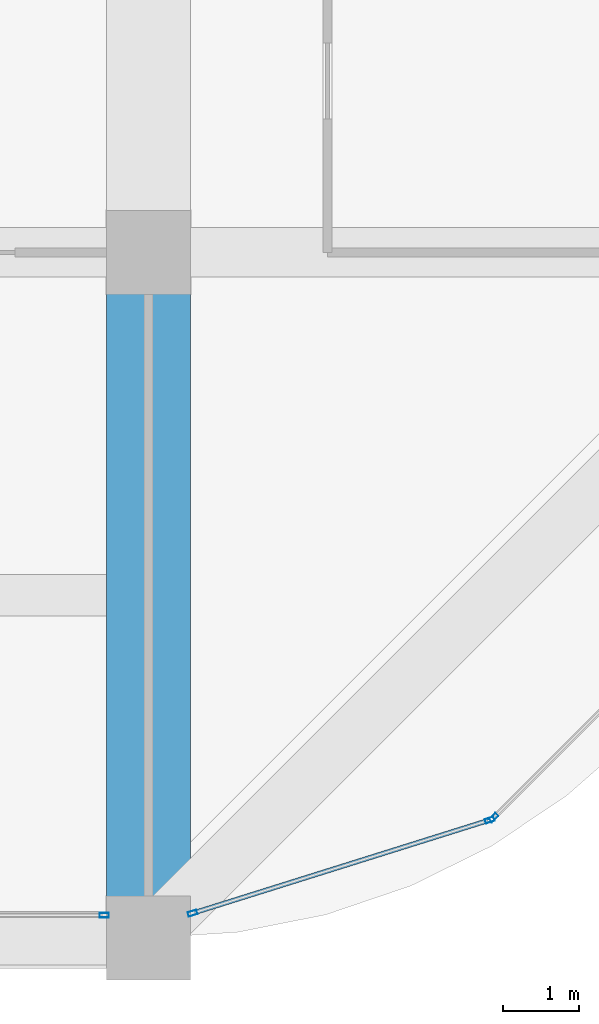
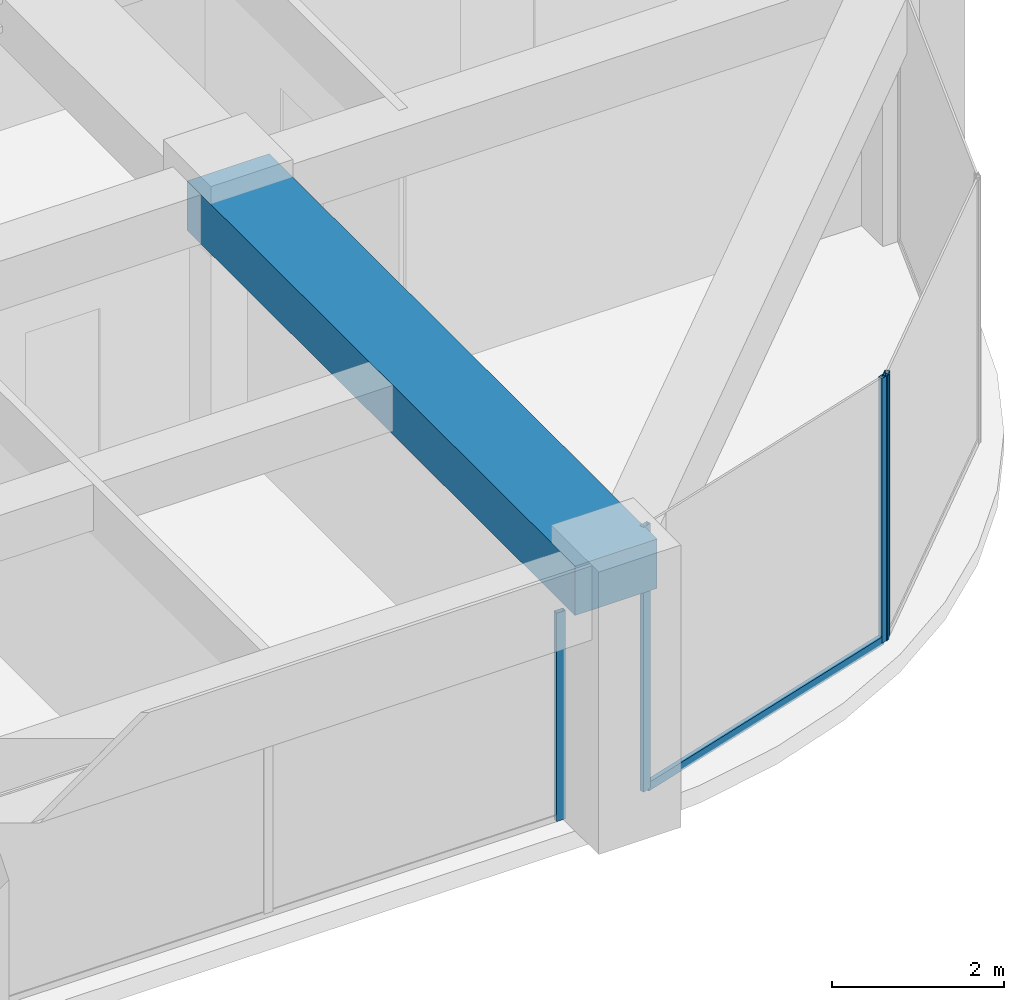
# One storey, part 18 of 45: 5 members, 1 beam, 3 elements without a shape of their own.
"""IFC4 building model written with IfcOpenShell, lengths in metres."""

import ifcopenshell
import ifcopenshell.guid

model = None  # the IFC model being written
_history = None  # IfcOwnerHistory: only IFC2X3 demands one
_inside = {}  # id of a spatial element -> (the spatial element, [elements in it])
_under = {}  # id of a project, library or spatial element -> (it, [spatial elements below it])
_declared = {}  # id of a project -> (the project, [libraries it declares])
_typed = {}  # id of a type object -> (the type object, [elements of that type])
_made_of = {}  # id of a material, layer set ... -> (it, [elements and type objects made of it])


def new_model(schema):
    """Start an empty IFC model of exactly this schema.

    Asked for "IFC4X3", IfcOpenShell would pick the latest addendum, in which some entities
    have other attributes; the version numbers below select the first issue.
    IFC2X3 requires an IfcOwnerHistory on every rooted entity: one is made here for all.
    """
    global model, _history
    if schema == "IFC4X3":
        model = ifcopenshell.file(schema_version=(4, 3, 0, 0))
    else:
        model = ifcopenshell.file(schema=schema)
    _inside.clear()
    _under.clear()
    _declared.clear()
    _typed.clear()
    _made_of.clear()
    _history = None
    if model.schema == "IFC2X3":
        org = make("IfcOrganization", Name="unknown")
        user = make(
            "IfcPersonAndOrganization",
            ThePerson=make("IfcPerson", FamilyName="unknown"),
            TheOrganization=org,
        )
        app = make(
            "IfcApplication",
            ApplicationDeveloper=org,
            Version="unknown",
            ApplicationFullName="unknown",
            ApplicationIdentifier="unknown",
        )
        _history = make(
            "IfcOwnerHistory",
            OwningUser=user,
            OwningApplication=app,
            ChangeAction="ADDED",
            CreationDate=0,
        )
    return model


def make(cls, **values):
    """One entity of the class cls with the attributes given. An attribute that is None is left unset."""
    return model.create_entity(
        cls, **{name: value for name, value in values.items() if value is not None}
    )


def rooted(cls, **values):
    """An entity with a GlobalId (a new one), such as an element, a storey or a relation."""
    return make(cls, GlobalId=ifcopenshell.guid.new(), OwnerHistory=_history, **values)


def si_unit(unit_type, name, prefix=None):
    """IfcSIUnit, for example si_unit("LENGTHUNIT", "METRE", prefix="MILLI")."""
    return make("IfcSIUnit", UnitType=unit_type, Prefix=prefix, Name=name)


def assignment(units):
    """IfcUnitAssignment: the units of a project."""
    return None if units is None else make("IfcUnitAssignment", Units=units)


def point(xyz):
    """IfcCartesianPoint."""
    return None if xyz is None else make("IfcCartesianPoint", Coordinates=xyz)


def direction(xyz):
    """IfcDirection."""
    return None if xyz is None else make("IfcDirection", DirectionRatios=xyz)


def frame(location, z_axis=None, x_axis=None):
    """IfcAxis2Placement3D, a coordinate frame: its origin and axes. An axis left out is left unset."""
    return make(
        "IfcAxis2Placement3D",
        Location=point(location),
        Axis=direction(z_axis),
        RefDirection=direction(x_axis),
    )


def frame_2d(location, x_axis=None):
    """IfcAxis2Placement2D, a coordinate frame in the plane: its origin and x axis."""
    return make(
        "IfcAxis2Placement2D", Location=point(location), RefDirection=direction(x_axis)
    )


def origin():
    """The frame at (0, 0, 0) with its axes left unset."""
    return frame((0.0, 0.0, 0.0))


def origin_2d():
    """The frame at (0, 0) in the plane with its x axis left unset."""
    return frame_2d((0.0, 0.0))


def place(relative_to, where):
    """IfcLocalPlacement: puts the frame where relative to a parent placement (None: the world)."""
    return make(
        "IfcLocalPlacement", PlacementRelTo=relative_to, RelativePlacement=where
    )


def context(
    kind, dimensions, precision=None, world=None, true_north=None, identifier=None
):
    """IfcGeometricRepresentationContext, for example the 3D "Model" context."""
    return make(
        "IfcGeometricRepresentationContext",
        ContextIdentifier=identifier,
        ContextType=kind,
        CoordinateSpaceDimension=dimensions,
        Precision=precision,
        WorldCoordinateSystem=world,
        TrueNorth=true_north,
    )


def subcontext(parent, identifier, kind, view, scale=None):
    """IfcGeometricRepresentationSubContext, for example "Body" below "Model"."""
    return make(
        "IfcGeometricRepresentationSubContext",
        ContextIdentifier=identifier,
        ContextType=kind,
        ParentContext=parent,
        TargetScale=scale,
        TargetView=view,
    )


def project(units=None, contexts=None):
    """IfcProject with its units and contexts."""
    return rooted(
        "IfcProject",
        Name="project",
        RepresentationContexts=contexts,
        UnitsInContext=assignment(units),
    )


def spatial(cls, under=None, at=None, **own):
    """A site, building, storey or space (cls), placed at a placement, below another one or the project."""
    s = rooted(cls, ObjectPlacement=at, **own)
    if under is not None:
        _under.setdefault(under.id(), (under, []))[1].append(s)
    return s


def profile(cls, at=None, kind="AREA", **sizes):
    """A parametric profile (cls). Its sizes go by their IFC names, for example OverallWidth=200.0."""
    return make(cls, ProfileType=kind, Position=at, **sizes)


def rectangle(**sizes):
    """IfcRectangleProfileDef."""
    return profile("IfcRectangleProfileDef", **sizes)


def hollow_rectangle(**sizes):
    """IfcRectangleHollowProfileDef."""
    return profile("IfcRectangleHollowProfileDef", **sizes)


def extrude(swept, where, along, depth):
    """IfcExtrudedAreaSolid: the profile swept, set in the frame where, extruded along a direction by depth."""
    return make(
        "IfcExtrudedAreaSolid",
        SweptArea=swept,
        Position=where,
        ExtrudedDirection=direction(along),
        Depth=depth,
    )


def shape(context_of_items, identifier, shape_type, items):
    """IfcShapeRepresentation: the items that make up one representation, for example the "Body"."""
    return make(
        "IfcShapeRepresentation",
        ContextOfItems=context_of_items,
        RepresentationIdentifier=identifier,
        RepresentationType=shape_type,
        Items=items,
    )


def material(Name=None, Category=None):
    """IfcMaterial."""
    return make("IfcMaterial", Name=Name, Category=Category)


def material_profile(
    of_material, cross_section, Name=None, Category=None, Priority=None
):
    """IfcMaterialProfile: a cross section and its material."""
    return make(
        "IfcMaterialProfile",
        Name=Name,
        Material=of_material,
        Profile=cross_section,
        Priority=Priority,
        Category=Category,
    )


def profile_set(profiles, Name=None, composite=None):
    """IfcMaterialProfileSet."""
    return make(
        "IfcMaterialProfileSet",
        Name=Name,
        MaterialProfiles=profiles,
        CompositeProfile=composite,
    )


def made_of(thing, what):
    """Note that an element or type object is made of a material, layer set ...; save() writes the relation."""
    if what is not None:
        _made_of.setdefault(what.id(), (what, []))[1].append(thing)
    return thing


def type_object(cls, material=None, **own):
    """A type object (cls), such as IfcWallType, which elements share."""
    return made_of(rooted(cls, **own), material)


def element(
    cls,
    number,
    at=None,
    inside=None,
    cuts=None,
    type_object=None,
    material=None,
    context=None,
    identifier="Body",
    shape_type=None,
    held_by="IfcProductDefinitionShape",
    body=None,
    shapes=None,
    **own,
):
    """One element of the class cls, such as IfcWall. Its Tag is "e" and its number.

    at: its placement. inside: the storey or other place that contains it. cuts: it is an
    opening in that element (IfcRelVoidsElement). A single representation is given by context,
    identifier, shape_type and body (its items); several are given by shapes. held_by: the class
    of the entity that holds the representations. save() writes the other relations.
    """
    e = rooted(cls, Tag="e%d" % number, ObjectPlacement=at, **own)
    if body is not None:
        shapes = [shape(context, identifier, shape_type, body)]
    if shapes is not None:
        e.Representation = make(held_by, Representations=shapes)
    if inside is not None:
        _inside.setdefault(inside.id(), (inside, []))[1].append(e)
    if cuts is not None:
        rooted(
            "IfcRelVoidsElement", RelatingBuildingElement=cuts, RelatedOpeningElement=e
        )
    if type_object is not None:
        _typed.setdefault(type_object.id(), (type_object, []))[1].append(e)
    return made_of(e, material)


def aggregate(whole, parts):
    """IfcRelAggregates: a whole, such as a stair, and the parts it consists of."""
    return rooted("IfcRelAggregates", RelatingObject=whole, RelatedObjects=parts)


def save(model, path):
    """Write the relations noted so far, then the file.

    IfcRelAggregates (storeys below a building ...), IfcRelContainedInSpatialStructure (elements
    in a storey), IfcRelDefinesByType, IfcRelAssociatesMaterial and IfcRelDeclares: one each for
    every whole, place, type object, material and project.
    """
    for whole, parts in _under.values():
        aggregate(whole, parts)
    for where, things in _inside.values():
        rooted(
            "IfcRelContainedInSpatialStructure",
            RelatedElements=things,
            RelatingStructure=where,
        )
    for kind, things in _typed.values():
        rooted("IfcRelDefinesByType", RelatedObjects=things, RelatingType=kind)
    for what, things in _made_of.values():
        rooted("IfcRelAssociatesMaterial", RelatedObjects=things, RelatingMaterial=what)
    for by, libraries in _declared.values():
        rooted("IfcRelDeclares", RelatingContext=by, RelatedDefinitions=libraries)
    model.write(path)


model = new_model("IFC4")

# Units and contexts
model_context = context("Model", 3, precision=1e-05, world=origin(), true_north=direction((0.0, 1.0)))
body_context = subcontext(model_context, "Body", "Model", "MODEL_VIEW")
ifc_project = project(units=[si_unit("LENGTHUNIT", "METRE"), si_unit("AREAUNIT", "SQUARE_METRE"), si_unit("VOLUMEUNIT", "CUBIC_METRE"), si_unit("PLANEANGLEUNIT", "RADIAN"), si_unit("MASSUNIT", "GRAM", prefix="KILO")], contexts=[model_context])

# Site, building, storey
site_placement = place(None, origin())
site = spatial("IfcSite", under=ifc_project, at=site_placement, CompositionType="ELEMENT")
building_placement = place(site_placement, origin())
building = spatial("IfcBuilding", under=site, at=building_placement, Name="Zorevar Civic Tower", CompositionType="ELEMENT")
storey_placement = place(building_placement, frame((0.0, 0.0, 303.39990234375)))
storey = spatial("IfcBuildingStorey", under=building, at=storey_placement, Name="L74", CompositionType="ELEMENT", Elevation=303.39990234375)

# Beam
ifc_material_1 = material(Name="Concrete C50/60", Category="concrete")
ifc_material_profile_1 = material_profile(ifc_material_1, rectangle(XDim=1.10009765625, YDim=0.699951171875, at=origin_2d()), Name="RC 1100x700")
ifc_profile_set_1 = profile_set([ifc_material_profile_1], Name="Concrete C50/60")
beam_type = type_object("IfcBeamType", Name="Beam RC 1100x700", PredefinedType="BEAM", material=ifc_profile_set_1)
beam_placement = place(storey_placement, frame((45.0, 0.0, 3.400146484375), z_axis=(0.0, 1.0, 0.0), x_axis=(-1.0, 0.0, 0.0)))
element("IfcBeam", 1, at=beam_placement, inside=storey, type_object=beam_type, Name="Girder L75", PredefinedType="BEAM", context=body_context, shape_type="SweptSolid", body=[
    extrude(rectangle(XDim=1.10009765625, YDim=0.699951171875, at=origin_2d()), origin(), (0.0, 0.0, 1.0), 9.0),
])

# Curtain wall, member
ifc_material_2 = material(Name="Dark grey solar-control glass in black aluminium frame", Category="aluminium")
curtain_wall_type = type_object("IfcCurtainWallType", Name="Curtain wall CW5 top zone", PredefinedType="NOTDEFINED", material=ifc_material_2)
curtain_wall_1_placement = place(storey_placement, origin())
curtain_wall_1 = element("IfcCurtainWall", 2, at=curtain_wall_1_placement, inside=storey, type_object=curtain_wall_type, Name="CW5 L74", PredefinedType="NOTDEFINED")
ifc_material_3 = material(Name="Aluminium, black anodised", Category="aluminium")
ifc_material_profile_2 = material_profile(ifc_material_3, hollow_rectangle(XDim=0.06005859375, YDim=0.1201171875, WallThickness=0.0029296875, at=origin_2d()), Name="AL 120x60x3")
ifc_profile_set_2 = profile_set([ifc_material_profile_2], Name="Aluminium, black anodised")
member_type_1 = type_object("IfcMemberType", Name="CW5 mullion AL 120x60x3", PredefinedType="MULLION", material=ifc_profile_set_2)
member_1_placement = place(storey_placement, frame((44.419921875, 0.300048828125, 0.0), z_axis=(0.0, 0.0, 1.0), x_axis=(0.0, 1.0, 0.0)))
member_1 = element("IfcMember", 3, at=member_1_placement, type_object=member_type_1, Name="CW5 mullion 3", PredefinedType="MULLION", context=body_context, shape_type="SweptSolid", body=[
    extrude(hollow_rectangle(XDim=0.06005859375, YDim=0.1201171875, WallThickness=0.0029296875, at=origin_2d()), origin(), (0.0, 0.0, 1.0), 2.9501953125),
])
aggregate(curtain_wall_1, [member_1])

# Curtain wall, members
curtain_wall_2_placement = place(storey_placement, origin())
curtain_wall_2 = element("IfcCurtainWall", 4, at=curtain_wall_2_placement, inside=storey, type_object=curtain_wall_type, Name="CW5 L74", PredefinedType="NOTDEFINED")
member_2_placement = place(storey_placement, frame((45.57861328125, 0.326416015625, 0.0), z_axis=(0.0, 0.0, 1.0), x_axis=(-0.299317920238, 0.954153437674, 0.0)))
member_2 = element("IfcMember", 5, at=member_2_placement, type_object=member_type_1, Name="CW5 mullion 1", PredefinedType="MULLION", context=body_context, shape_type="SweptSolid", body=[
    extrude(hollow_rectangle(XDim=0.06005859375, YDim=0.1201171875, WallThickness=0.0029296875, at=origin_2d()), origin(), (0.0, 0.0, 1.0), 3.75),
])
member_3_placement = place(storey_placement, frame((49.479248046875, 1.550048828125, 0.0), z_axis=(0.0, 0.0, 1.0), x_axis=(-0.299317920238, 0.954153437674, 0.0)))
member_3 = element("IfcMember", 6, at=member_3_placement, type_object=member_type_1, Name="CW5 mullion 2", PredefinedType="MULLION", context=body_context, shape_type="SweptSolid", body=[
    extrude(hollow_rectangle(XDim=0.06005859375, YDim=0.1201171875, WallThickness=0.0029296875, at=origin_2d()), origin(), (0.0, 0.0, 1.0), 3.75),
])

# Curtain wall, member
curtain_wall_3_placement = place(storey_placement, origin())
curtain_wall_3 = element("IfcCurtainWall", 7, at=curtain_wall_3_placement, inside=storey, type_object=curtain_wall_type, Name="CW5 L74", PredefinedType="NOTDEFINED")
member_4_placement = place(storey_placement, frame((49.529052734375, 1.580322265625, 0.0), z_axis=(0.0, 0.0, 1.0), x_axis=(-0.707106781187, 0.707106781187, 0.0)))
member_4 = element("IfcMember", 8, at=member_4_placement, type_object=member_type_1, Name="CW5 mullion 1", PredefinedType="MULLION", context=body_context, shape_type="SweptSolid", body=[
    extrude(hollow_rectangle(XDim=0.06005859375, YDim=0.1201171875, WallThickness=0.0029296875, at=origin_2d()), origin(), (0.0, 0.0, 1.0), 3.75),
])
aggregate(curtain_wall_3, [member_4])

# Member
ifc_material_4 = material(Name="Aluminium, black anodised", Category="aluminium")
ifc_material_profile_3 = material_profile(ifc_material_4, hollow_rectangle(XDim=0.06005859375, YDim=0.1201171875, WallThickness=0.0029296875, at=origin_2d()), Name="AL 120x60x3")
ifc_profile_set_3 = profile_set([ifc_material_profile_3], Name="Aluminium, black anodised")
member_type_2 = type_object("IfcMemberType", Name="CW5 transom AL 120x60x3", PredefinedType="USERDEFINED", material=ifc_profile_set_3)
member_5_placement = place(storey_placement, frame((45.607177734375, 0.33544921875, 0.030029296875), z_axis=(0.954163457351, 0.299285978047, 0.0), x_axis=(-0.299285978047, 0.954163457351, 0.0)))
member_5 = element("IfcMember", 9, at=member_5_placement, type_object=member_type_2, Name="CW5 sill transom", ObjectType="TRANSOM", PredefinedType="USERDEFINED", context=body_context, shape_type="SweptSolid", body=[
    extrude(hollow_rectangle(XDim=0.06005859375, YDim=0.1201171875, WallThickness=0.0029296875, at=origin_2d()), origin(), (0.0, 0.0, 1.0), 4.028076171875),
])

aggregate(curtain_wall_2, [member_2, member_3, member_5])

save(model, "model.ifc")
